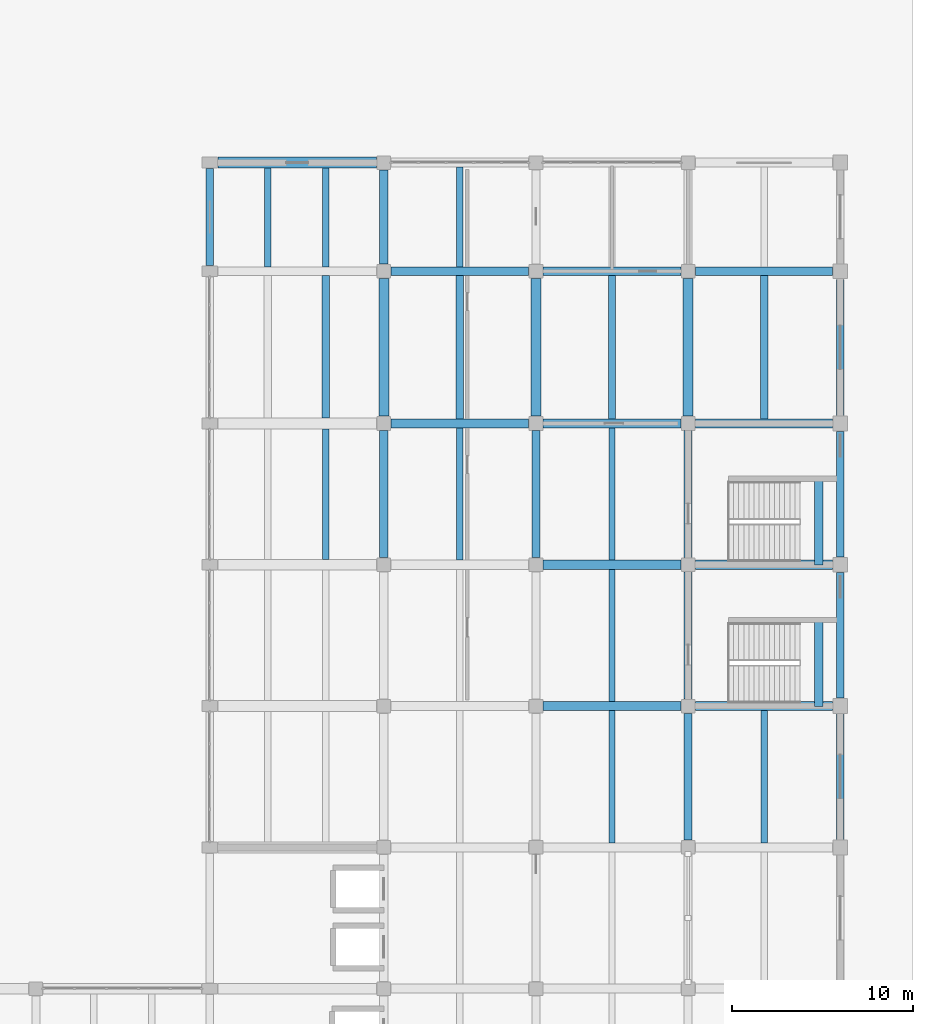
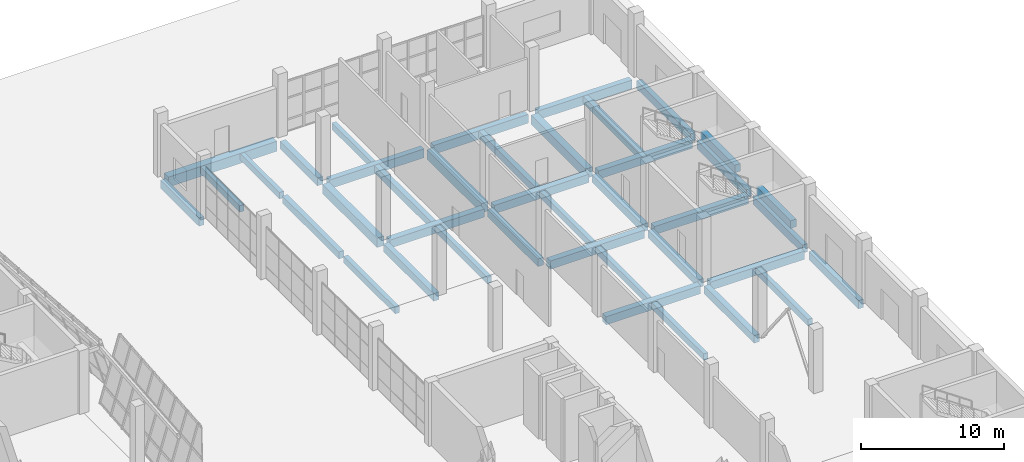
# One storey, part 42 of 78: 40 beams.
"""IFC4 building model written with IfcOpenShell, lengths in metres."""

from ifc_helpers import new_model, si_unit, direction, frame, origin, origin_2d, place, context, subcontext, project, spatial, rectangle, extrude, material, material_profile, profile_set, type_object, element, save


model = new_model("IFC4")

# Units and contexts
model_context = context("Model", 3, precision=1e-05, world=origin(), true_north=direction((0.0, 1.0)))
body_context = subcontext(model_context, "Body", "Model", "MODEL_VIEW")
ifc_project = project(units=[si_unit("LENGTHUNIT", "METRE"), si_unit("AREAUNIT", "SQUARE_METRE"), si_unit("VOLUMEUNIT", "CUBIC_METRE"), si_unit("PLANEANGLEUNIT", "RADIAN"), si_unit("MASSUNIT", "GRAM", prefix="KILO")], contexts=[model_context])

# Site, building, storey
site_placement = place(None, origin())
site = spatial("IfcSite", under=ifc_project, at=site_placement, CompositionType="ELEMENT")
building_placement = place(site_placement, origin())
building = spatial("IfcBuilding", under=site, at=building_placement, Name="Pellamere Symphony Hall", CompositionType="ELEMENT")
storey_placement = place(building_placement, origin())
storey = spatial("IfcBuildingStorey", under=building, at=storey_placement, Name="L00", CompositionType="ELEMENT", Elevation=0.0)

# Beams
ifc_material_1 = material(Name="Concrete 40 MPa", Category="concrete")
ifc_material_profile_1 = material_profile(ifc_material_1, rectangle(XDim=0.60009765625, YDim=0.85009765625, at=origin_2d()), Name="RC 600x850")
ifc_profile_set_1 = profile_set([ifc_material_profile_1], Name="Concrete 40 MPa")
beam_type_1 = type_object("IfcBeamType", Name="RC CB-04 600x850", PredefinedType="BEAM", material=ifc_profile_set_1)
beam_1_placement = place(storey_placement, frame((138.449951171875, 99.60009765625, -0.72509765625), z_axis=(1.0, 0.0, 0.0), x_axis=(0.0, 1.0, 0.0)))
element("IfcBeam", 1, at=beam_1_placement, inside=storey, type_object=beam_type_1, Name="Girder CB-04-X0179 (L00)", PredefinedType="BEAM", context=body_context, shape_type="SweptSolid", body=[
    extrude(rectangle(XDim=0.60009765625, YDim=0.85009765625, at=origin_2d()), origin(), (0.0, 0.0, 1.0), 8.75),
])
ifc_material_profile_2 = material_profile(ifc_material_1, rectangle(XDim=0.550048828125, YDim=0.800048828125, at=origin_2d()), Name="RC 550x800")
ifc_profile_set_2 = profile_set([ifc_material_profile_2], Name="Concrete 40 MPa")
beam_type_2 = type_object("IfcBeamType", Name="RC CB-05 550x800", PredefinedType="BEAM", material=ifc_profile_set_2)
for number, where, z_axis, x_axis, name in (
    (2, (147.60009765625, 85.60009765625, -0.699951171875), (0.0, 1.0, 0.0), (-1.0, 0.0, 0.0), "Girder CB-05-Y0355 (L00)"),
    (3, (156.0, 85.60009765625, -0.699951171875), (0.0, 1.0, 0.0), (-1.0, 0.0, 0.0), "Girder CB-05-Y0366 (L00)"),
    (4, (164.39990234375, 85.60009765625, -0.699951171875), (0.0, 1.0, 0.0), (-1.0, 0.0, 0.0), "Girder CB-05-Y0377 (L00)"),
):
    element("IfcBeam", number, at=place(storey_placement, frame(where, z_axis=z_axis, x_axis=x_axis)), inside=storey, type_object=beam_type_2, Name=name, PredefinedType="BEAM", context=body_context, shape_type="SweptSolid", body=[
        extrude(rectangle(XDim=0.550048828125, YDim=0.800048828125, at=origin_2d()), origin(), (0.0, 0.0, 1.0), 7.599853515625),
    ])
ifc_material_profile_3 = material_profile(ifc_material_1, rectangle(XDim=0.5, YDim=0.699951171875, at=origin_2d()), Name="RC 500x700")
ifc_profile_set_3 = profile_set([ifc_material_profile_3], Name="Concrete 40 MPa")
beam_type_3 = type_object("IfcBeamType", Name="RC CB-07 500x700", PredefinedType="BEAM", material=ifc_profile_set_3)
beam_2_placement = place(storey_placement, frame((156.39990234375, 69.60009765625, -0.64990234375), z_axis=(1.0, 0.0, 0.0), x_axis=(0.0, 1.0, 0.0)))
element("IfcBeam", 5, at=beam_2_placement, inside=storey, type_object=beam_type_3, Name="Girder CB-07-X0134 (L00)", PredefinedType="BEAM", context=body_context, shape_type="SweptSolid", body=[
    extrude(rectangle(XDim=0.5, YDim=0.699951171875, at=origin_2d()), origin(), (0.0, 0.0, 1.0), 7.60009765625),
])
beam_3_placement = place(storey_placement, frame((164.800048828125, 69.60009765625, -0.64990234375), z_axis=(1.0, 0.0, 0.0), x_axis=(0.0, 1.0, 0.0)))
element("IfcBeam", 6, at=beam_3_placement, inside=storey, type_object=beam_type_3, Name="Girder CB-07-X0135 (L00)", PredefinedType="BEAM", context=body_context, shape_type="SweptSolid", body=[
    extrude(rectangle(XDim=0.5, YDim=0.699951171875, at=origin_2d()), origin(), (0.0, 0.0, 1.0), 7.56005859375),
])
beam_4_placement = place(storey_placement, frame((156.39990234375, 77.39990234375, -0.64990234375), z_axis=(1.0, 0.0, 0.0), x_axis=(0.0, 1.0, 0.0)))
element("IfcBeam", 7, at=beam_4_placement, inside=storey, type_object=beam_type_3, Name="Girder CB-07-X0147 (L00)", PredefinedType="BEAM", context=body_context, shape_type="SweptSolid", body=[
    extrude(rectangle(XDim=0.5, YDim=0.699951171875, at=origin_2d()), origin(), (0.0, 0.0, 1.0), 7.60009765625),
])
beam_5_placement = place(storey_placement, frame((164.800048828125, 77.39990234375, -0.64990234375), z_axis=(1.0, 0.0, 0.0), x_axis=(0.0, 1.0, 0.0)))
element("IfcBeam", 8, at=beam_5_placement, inside=storey, type_object=beam_type_3, Name="Girder CB-07-X0148 (L00)", PredefinedType="BEAM", context=body_context, shape_type="SweptSolid", body=[
    extrude(rectangle(XDim=0.5, YDim=0.699951171875, at=origin_2d()), origin(), (0.0, 0.0, 1.0), 7.56005859375),
])
for number, where, z_axis, x_axis, name in (
    (9, (148.0, 85.199951171875, -0.64990234375), (1.0, 0.0, 0.0), (0.0, 1.0, 0.0), "Girder CB-07-X0158 (L00)"),
    (10, (156.39990234375, 85.199951171875, -0.64990234375), (1.0, 0.0, 0.0), (0.0, 1.0, 0.0), "Girder CB-07-X0159 (L00)"),
):
    element("IfcBeam", number, at=place(storey_placement, frame(where, z_axis=z_axis, x_axis=x_axis)), inside=storey, type_object=beam_type_3, Name=name, PredefinedType="BEAM", context=body_context, shape_type="SweptSolid", body=[
        extrude(rectangle(XDim=0.5, YDim=0.699951171875, at=origin_2d()), origin(), (0.0, 0.0, 1.0), 7.60009765625),
    ])
beam_6_placement = place(storey_placement, frame((164.800048828125, 85.199951171875, -0.64990234375), z_axis=(1.0, 0.0, 0.0), x_axis=(0.0, 1.0, 0.0)))
element("IfcBeam", 11, at=beam_6_placement, inside=storey, type_object=beam_type_3, Name="Girder CB-07-X0160 (L00)", PredefinedType="BEAM", context=body_context, shape_type="SweptSolid", body=[
    extrude(rectangle(XDim=0.5, YDim=0.699951171875, at=origin_2d()), origin(), (0.0, 0.0, 1.0), 7.56005859375),
])
ifc_material_profile_4 = material_profile(ifc_material_1, rectangle(XDim=0.449951171875, YDim=0.64990234375, at=origin_2d()), Name="RC 450x650")
ifc_profile_set_4 = profile_set([ifc_material_profile_4], Name="Concrete 40 MPa")
beam_type_4 = type_object("IfcBeamType", Name="RC CB-08 450x650", PredefinedType="BEAM", material=ifc_profile_set_4)
beam_7_placement = place(storey_placement, frame((147.60009765625, 77.800048828125, -0.625), z_axis=(0.0, 1.0, 0.0), x_axis=(-1.0, 0.0, 0.0)))
element("IfcBeam", 12, at=beam_7_placement, inside=storey, type_object=beam_type_4, Name="Girder CB-08-Y0354 (L00)", PredefinedType="BEAM", context=body_context, shape_type="SweptSolid", body=[
    extrude(rectangle(XDim=0.449951171875, YDim=0.64990234375, at=origin_2d()), origin(), (0.0, 0.0, 1.0), 7.0),
])
beam_8_placement = place(storey_placement, frame((147.60009765625, 94.0, -0.625), z_axis=(0.0, 1.0, 0.0), x_axis=(-1.0, 0.0, 0.0)))
element("IfcBeam", 13, at=beam_8_placement, inside=storey, type_object=beam_type_4, Name="Girder CB-08-Y0356 (L00)", PredefinedType="BEAM", context=body_context, shape_type="SweptSolid", body=[
    extrude(rectangle(XDim=0.449951171875, YDim=0.64990234375, at=origin_2d()), origin(), (0.0, 0.0, 1.0), 5.199951171875),
])
for number, where, z_axis, x_axis, name in (
    (14, (156.0, 77.800048828125, -0.625), (0.0, 1.0, 0.0), (-1.0, 0.0, 0.0), "Girder CB-08-Y0365 (L00)"),
    (15, (164.39990234375, 62.199951171875, -0.625), (0.0, 1.0, 0.0), (-1.0, 0.0, 0.0), "Girder CB-08-Y0374 (L00)"),
    (16, (164.39990234375, 70.0, -0.625), (0.0, 1.0, 0.0), (-1.0, 0.0, 0.0), "Girder CB-08-Y0375 (L00)"),
    (17, (164.39990234375, 77.800048828125, -0.625), (0.0, 1.0, 0.0), (-1.0, 0.0, 0.0), "Girder CB-08-Y0376 (L00)"),
):
    element("IfcBeam", number, at=place(storey_placement, frame(where, z_axis=z_axis, x_axis=x_axis)), inside=storey, type_object=beam_type_4, Name=name, PredefinedType="BEAM", context=body_context, shape_type="SweptSolid", body=[
        extrude(rectangle(XDim=0.449951171875, YDim=0.64990234375, at=origin_2d()), origin(), (0.0, 0.0, 1.0), 7.0),
    ])
for number, where, z_axis, x_axis, name in (
    (18, (171.607421875, 69.580078125, 2.155029296875), (0.0, 1.0, 0.0), (-1.0, 0.0, 0.0), "Stair ST05-L00 Half Landing Support Beam (L00)"),
    (19, (171.607421875, 77.3798828125, 2.155029296875), (0.0, 1.0, 0.0), (-1.0, 0.0, 0.0), "Stair ST14-L00 Half Landing Support Beam (L00)"),
):
    element("IfcBeam", number, at=place(storey_placement, frame(where, z_axis=z_axis, x_axis=x_axis)), inside=storey, type_object=beam_type_4, Name=name, PredefinedType="BEAM", context=body_context, shape_type="SweptSolid", body=[
        extrude(rectangle(XDim=0.449951171875, YDim=0.64990234375, at=origin_2d()), origin(), (0.0, 0.0, 1.0), 4.780029296875),
    ])
ifc_material_profile_5 = material_profile(ifc_material_1, rectangle(XDim=0.39990234375, YDim=0.60009765625, at=origin_2d()), Name="RC 400x600")
ifc_profile_set_5 = profile_set([ifc_material_profile_5], Name="Concrete 40 MPa")
beam_type_5 = type_object("IfcBeamType", Name="RC CB-09 400x600", PredefinedType="BEAM", material=ifc_profile_set_5)
beam_9_placement = place(storey_placement, frame((144.39990234375, 85.5, -0.614990234375), z_axis=(0.0, 1.0, 0.0), x_axis=(-1.0, 0.0, 0.0)))
element("IfcBeam", 20, at=beam_9_placement, inside=storey, type_object=beam_type_5, Name="Secondary Floor Beam CB-09-B1711 (L00)", PredefinedType="BEAM", context=body_context, shape_type="SweptSolid", body=[
    extrude(rectangle(XDim=0.39990234375, YDim=0.60009765625, at=origin_2d()), origin(), (0.0, 0.0, 1.0), 7.875),
])
for number, where, z_axis, x_axis, name in (
    (21, (151.800048828125, 85.449951171875, -0.614990234375), (0.0, 1.0, 0.0), (-1.0, 0.0, 0.0), "Secondary Floor Beam CB-09-M1811 (L00)"),
    (22, (160.199951171875, 85.449951171875, -0.614990234375), (0.0, 1.0, 0.0), (-1.0, 0.0, 0.0), "Secondary Floor Beam CB-09-M1911 (L00)"),
    (23, (168.60009765625, 85.449951171875, -0.614990234375), (0.0, 1.0, 0.0), (-1.0, 0.0, 0.0), "Secondary Floor Beam CB-09-M2011 (L00)"),
):
    element("IfcBeam", number, at=place(storey_placement, frame(where, z_axis=z_axis, x_axis=x_axis)), inside=storey, type_object=beam_type_5, Name=name, PredefinedType="BEAM", context=body_context, shape_type="SweptSolid", body=[
        extrude(rectangle(XDim=0.39990234375, YDim=0.60009765625, at=origin_2d()), origin(), (0.0, 0.0, 1.0), 7.925048828125),
    ])
ifc_material_2 = material(Name="Concrete 35 MPa", Category="concrete")
ifc_material_profile_6 = material_profile(ifc_material_2, rectangle(XDim=0.35009765625, YDim=0.550048828125, at=origin_2d()), Name="RC 350x550")
ifc_profile_set_6 = profile_set([ifc_material_profile_6], Name="Concrete 35 MPa")
beam_type_6 = type_object("IfcBeamType", Name="RC CB-10 350x550", PredefinedType="BEAM", material=ifc_profile_set_6)
beam_10_placement = place(storey_placement, frame((144.39990234375, 77.699951171875, -0.590087890625), z_axis=(0.0, 1.0, 0.0), x_axis=(-1.0, 0.0, 0.0)))
element("IfcBeam", 24, at=beam_10_placement, inside=storey, type_object=beam_type_6, Name="Secondary Floor Beam CB-10-B1710 (L00)", PredefinedType="BEAM", context=body_context, shape_type="SweptSolid", body=[
    extrude(rectangle(XDim=0.35009765625, YDim=0.550048828125, at=origin_2d()), origin(), (0.0, 0.0, 1.0), 7.199951171875),
])
for number, where, z_axis, x_axis, name in (
    (25, (141.199951171875, 93.824951171875, -0.590087890625), (0.0, 1.0, 0.0), (-1.0, 0.0, 0.0), "Secondary Floor Beam CB-10-A1712 (L00)"),
    (26, (144.39990234375, 93.824951171875, -0.590087890625), (0.0, 1.0, 0.0), (-1.0, 0.0, 0.0), "Secondary Floor Beam CB-10-B1712 (L00)"),
):
    element("IfcBeam", number, at=place(storey_placement, frame(where, z_axis=z_axis, x_axis=x_axis)), inside=storey, type_object=beam_type_6, Name=name, PredefinedType="BEAM", context=body_context, shape_type="SweptSolid", body=[
        extrude(rectangle(XDim=0.35009765625, YDim=0.550048828125, at=origin_2d()), origin(), (0.0, 0.0, 1.0), 5.47509765625),
    ])
beam_11_placement = place(storey_placement, frame((151.800048828125, 77.64990234375, -0.590087890625), z_axis=(0.0, 1.0, 0.0), x_axis=(-1.0, 0.0, 0.0)))
element("IfcBeam", 27, at=beam_11_placement, inside=storey, type_object=beam_type_6, Name="Secondary Floor Beam CB-10-M1810 (L00)", PredefinedType="BEAM", context=body_context, shape_type="SweptSolid", body=[
    extrude(rectangle(XDim=0.35009765625, YDim=0.550048828125, at=origin_2d()), origin(), (0.0, 0.0, 1.0), 7.300048828125),
])
beam_12_placement = place(storey_placement, frame((151.800048828125, 93.824951171875, -0.590087890625), z_axis=(0.0, 1.0, 0.0), x_axis=(-1.0, 0.0, 0.0)))
element("IfcBeam", 28, at=beam_12_placement, inside=storey, type_object=beam_type_6, Name="Secondary Floor Beam CB-10-M1812 (L00)", PredefinedType="BEAM", context=body_context, shape_type="SweptSolid", body=[
    extrude(rectangle(XDim=0.35009765625, YDim=0.550048828125, at=origin_2d()), origin(), (0.0, 0.0, 1.0), 5.525146484375),
])
beam_13_placement = place(storey_placement, frame((160.199951171875, 62.050048828125, -0.590087890625), z_axis=(0.0, 1.0, 0.0), x_axis=(-1.0, 0.0, 0.0)))
element("IfcBeam", 29, at=beam_13_placement, inside=storey, type_object=beam_type_6, Name="Secondary Floor Beam CB-10-M1908 (L00)", PredefinedType="BEAM", context=body_context, shape_type="SweptSolid", body=[
    extrude(rectangle(XDim=0.35009765625, YDim=0.550048828125, at=origin_2d()), origin(), (0.0, 0.0, 1.0), 7.300048828125),
])
beam_14_placement = place(storey_placement, frame((160.199951171875, 69.85009765625, -0.590087890625), z_axis=(0.0, 1.0, 0.0), x_axis=(-1.0, 0.0, 0.0)))
element("IfcBeam", 30, at=beam_14_placement, inside=storey, type_object=beam_type_6, Name="Secondary Floor Beam CB-10-M1909 (L00)", PredefinedType="BEAM", context=body_context, shape_type="SweptSolid", body=[
    extrude(rectangle(XDim=0.35009765625, YDim=0.550048828125, at=origin_2d()), origin(), (0.0, 0.0, 1.0), 7.2998046875),
])
for number, where, z_axis, x_axis, name in (
    (31, (160.199951171875, 77.64990234375, -0.590087890625), (0.0, 1.0, 0.0), (-1.0, 0.0, 0.0), "Secondary Floor Beam CB-10-M1910 (L00)"),
    (32, (168.60009765625, 62.050048828125, -0.590087890625), (0.0, 1.0, 0.0), (-1.0, 0.0, 0.0), "Secondary Floor Beam CB-10-M2008 (L00)"),
):
    element("IfcBeam", number, at=place(storey_placement, frame(where, z_axis=z_axis, x_axis=x_axis)), inside=storey, type_object=beam_type_6, Name=name, PredefinedType="BEAM", context=body_context, shape_type="SweptSolid", body=[
        extrude(rectangle(XDim=0.35009765625, YDim=0.550048828125, at=origin_2d()), origin(), (0.0, 0.0, 1.0), 7.300048828125),
    ])
ifc_material_profile_7 = material_profile(ifc_material_1, rectangle(XDim=0.449951171875, YDim=0.75, at=origin_2d()), Name="RC 450x750")
ifc_profile_set_7 = profile_set([ifc_material_profile_7], Name="Concrete 40 MPa")
beam_type_7 = type_object("IfcBeamType", Name="RC CB-12 450x750", PredefinedType="SPANDREL", material=ifc_profile_set_7)
for number, where, z_axis, x_axis, name in (
    (33, (148.0, 93.60009765625, -0.675048828125), (1.0, 0.0, 0.0), (0.0, 1.0, 0.0), "Girder CB-12-X0171 (L00)"),
    (34, (156.39990234375, 93.60009765625, -0.675048828125), (1.0, 0.0, 0.0), (0.0, 1.0, 0.0), "Girder CB-12-X0172 (L00)"),
):
    element("IfcBeam", number, at=place(storey_placement, frame(where, z_axis=z_axis, x_axis=x_axis)), inside=storey, type_object=beam_type_7, Name=name, PredefinedType="SPANDREL", context=body_context, shape_type="SweptSolid", body=[
        extrude(rectangle(XDim=0.449951171875, YDim=0.75, at=origin_2d()), origin(), (0.0, 0.0, 1.0), 7.60009765625),
    ])
beam_15_placement = place(storey_placement, frame((164.800048828125, 93.60009765625, -0.675048828125), z_axis=(1.0, 0.0, 0.0), x_axis=(0.0, 1.0, 0.0)))
element("IfcBeam", 35, at=beam_15_placement, inside=storey, type_object=beam_type_7, Name="Girder CB-12-X0173 (L00)", PredefinedType="SPANDREL", context=body_context, shape_type="SweptSolid", body=[
    extrude(rectangle(XDim=0.449951171875, YDim=0.75, at=origin_2d()), origin(), (0.0, 0.0, 1.0), 7.56005859375),
])
ifc_material_profile_8 = material_profile(ifc_material_1, rectangle(XDim=0.39990234375, YDim=0.699951171875, at=origin_2d()), Name="RC 400x700")
ifc_profile_set_8 = profile_set([ifc_material_profile_8], Name="Concrete 40 MPa")
beam_type_8 = type_object("IfcBeamType", Name="RC CB-13 400x700", PredefinedType="SPANDREL", material=ifc_profile_set_8)
beam_16_placement = place(storey_placement, frame((138.0, 93.925048828125, -0.64990234375), z_axis=(0.0, 1.0, 0.0), x_axis=(-1.0, 0.0, 0.0)))
element("IfcBeam", 36, at=beam_16_placement, inside=storey, type_object=beam_type_8, Name="Girder CB-13-Y0345 (L00)", PredefinedType="SPANDREL", context=body_context, shape_type="SweptSolid", body=[
    extrude(rectangle(XDim=0.39990234375, YDim=0.699951171875, at=origin_2d()), origin(), (0.0, 0.0, 1.0), 5.349853515625),
])
for number, where, z_axis, x_axis, name in (
    (37, (172.800048828125, 62.239990234375, -0.64990234375), (0.0, 1.0, 0.0), (-1.0, 0.0, 0.0), "Girder CB-13-Y0385 (L00)"),
    (38, (172.800048828125, 70.0400390625, -0.64990234375), (0.0, 1.0, 0.0), (-1.0, 0.0, 0.0), "Girder CB-13-Y0386 (L00)"),
    (39, (172.800048828125, 77.840087890625, -0.64990234375), (0.0, 1.0, 0.0), (-1.0, 0.0, 0.0), "Girder CB-13-Y0387 (L00)"),
):
    element("IfcBeam", number, at=place(storey_placement, frame(where, z_axis=z_axis, x_axis=x_axis)), inside=storey, type_object=beam_type_8, Name=name, PredefinedType="SPANDREL", context=body_context, shape_type="SweptSolid", body=[
        extrude(rectangle(XDim=0.39990234375, YDim=0.699951171875, at=origin_2d()), origin(), (0.0, 0.0, 1.0), 6.919921875),
    ])
beam_17_placement = place(storey_placement, frame((172.800048828125, 85.639892578125, -0.64990234375), z_axis=(0.0, 1.0, 0.0), x_axis=(-1.0, 0.0, 0.0)))
element("IfcBeam", 40, at=beam_17_placement, inside=storey, type_object=beam_type_8, Name="Girder CB-13-Y0388 (L00)", PredefinedType="SPANDREL", context=body_context, shape_type="SweptSolid", body=[
    extrude(rectangle(XDim=0.39990234375, YDim=0.699951171875, at=origin_2d()), origin(), (0.0, 0.0, 1.0), 7.52001953125),
])

save(model, "model.ifc")
